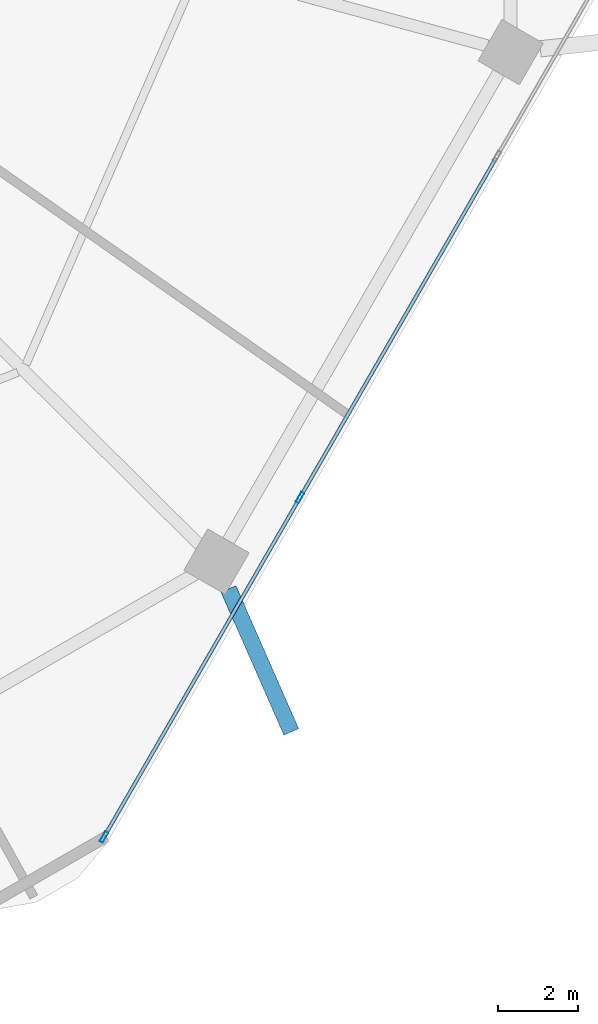
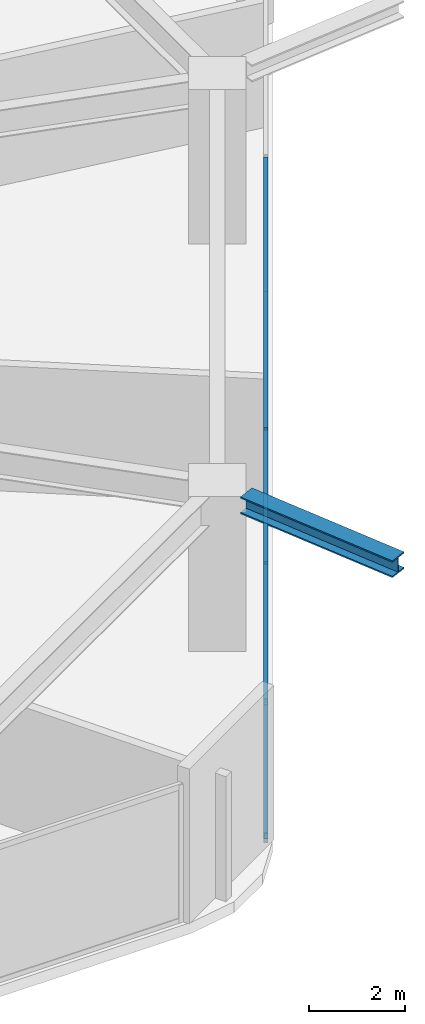
# One storey, part 9 of 25: 6 members, 1 beam, 1 element without a shape of its own.
"""IFC4 building model written with IfcOpenShell, lengths in metres."""

from ifc_helpers import new_model, si_unit, direction, frame, origin, origin_2d, place, context, subcontext, project, spatial, hollow_rectangle, i_section, extrude, material, material_profile, profile_set, type_object, element, aggregate, save


model = new_model("IFC4")

# Units and contexts
model_context = context("Model", 3, precision=1e-05, world=origin(), true_north=direction((0.0, 1.0)))
body_context = subcontext(model_context, "Body", "Model", "MODEL_VIEW")
ifc_project = project(units=[si_unit("LENGTHUNIT", "METRE"), si_unit("AREAUNIT", "SQUARE_METRE"), si_unit("VOLUMEUNIT", "CUBIC_METRE"), si_unit("PLANEANGLEUNIT", "RADIAN"), si_unit("MASSUNIT", "GRAM", prefix="KILO")], contexts=[model_context])

# Site, building, storey
site_placement = place(None, origin())
site = spatial("IfcSite", under=ifc_project, at=site_placement, CompositionType="ELEMENT")
building_placement = place(site_placement, origin())
building = spatial("IfcBuilding", under=site, at=building_placement, Name="Zuhravey Tower", CompositionType="ELEMENT")
storey_placement = place(building_placement, frame((0.0, 0.0, 37.199951171875)))
storey = spatial("IfcBuildingStorey", under=building, at=storey_placement, Name="L09", CompositionType="ELEMENT", Elevation=37.199951171875)

# Curtain wall, members
ifc_material_1 = material(Name="Thermally broken anodised aluminium", Category="aluminium")
curtain_wall_type = type_object("IfcCurtainWallType", Name="School Low-E Unitised Curtain Wall CW1", PredefinedType="NOTDEFINED", material=ifc_material_1)
curtain_wall_placement = place(storey_placement, origin())
curtain_wall = element("IfcCurtainWall", 1, at=curtain_wall_placement, inside=storey, type_object=curtain_wall_type, Name="L09 CW1 CW-L09-F6-1", PredefinedType="NOTDEFINED")
ifc_material_2 = material(Name="Anodised aluminium", Category="aluminium")
ifc_material_profile_1 = material_profile(ifc_material_2, hollow_rectangle(XDim=0.090087890625, YDim=0.284912109375, WallThickness=0.0048828125, at=origin_2d()), Name="ALU-RHS-90x285x5")
ifc_profile_set_1 = profile_set([ifc_material_profile_1], Name="Anodised aluminium")
member_type_1 = type_object("IfcMemberType", Name="Curtain-Wall Mullion 90x180", PredefinedType="MULLION", material=ifc_profile_set_1)
member_1_placement = place(storey_placement, frame((58.612060546875, 13.24853515625, 0.0), z_axis=(0.0, 0.0, 1.0), x_axis=(0.86602552265, -0.499999794119, 0.0)))
member_1 = element("IfcMember", 2, at=member_1_placement, type_object=member_type_1, Name="CW1 mullion 3", PredefinedType="MULLION", context=body_context, shape_type="SweptSolid", body=[
    extrude(hollow_rectangle(XDim=0.090087890625, YDim=0.284912109375, WallThickness=0.0048828125, at=origin_2d()), origin(), (0.0, 0.0, 1.0), 3.491943359375),
])
member_2_placement = place(storey_placement, frame((53.701416015625, 4.742919921875, 0.0), z_axis=(0.0, 0.0, 1.0), x_axis=(0.86602552265, -0.499999794119, 0.0)))
member_2 = element("IfcMember", 3, at=member_2_placement, type_object=member_type_1, Name="CW1 mullion 4", PredefinedType="MULLION", context=body_context, shape_type="SweptSolid", body=[
    extrude(hollow_rectangle(XDim=0.090087890625, YDim=0.284912109375, WallThickness=0.0048828125, at=origin_2d()), origin(), (0.0, 0.0, 1.0), 3.491943359375),
])
ifc_material_profile_2 = material_profile(ifc_material_2, hollow_rectangle(XDim=0.090087890625, YDim=0.14990234375, WallThickness=0.0048828125, at=origin_2d()), Name="ALU-RHS-90x150x5")
ifc_profile_set_2 = profile_set([ifc_material_profile_2], Name="Anodised aluminium")
member_type_2 = type_object("IfcMemberType", Name="Curtain-Wall Transom 90x150", PredefinedType="USERDEFINED", material=ifc_profile_set_2)
member_3_placement = place(storey_placement, frame((63.52294921875, 21.754150390625, 0.045166015625), z_axis=(-0.499990498062, -0.866030889661, 0.0), x_axis=(0.866030889661, -0.499990498062, 0.0)))
member_3 = element("IfcMember", 4, at=member_3_placement, type_object=member_type_2, Name="CW1 transom 2.1", ObjectType="TRANSOM", PredefinedType="USERDEFINED", context=body_context, shape_type="SweptSolid", body=[
    extrude(hollow_rectangle(XDim=0.090087890625, YDim=0.14990234375, WallThickness=0.0048828125, at=origin_2d()), origin(), (0.0, 0.0, 1.0), 9.776611328125),
])
member_4_placement = place(storey_placement, frame((63.52294921875, 21.754150390625, 3.447021484375), z_axis=(-0.499990498062, -0.866030889661, 0.0), x_axis=(0.866030889661, -0.499990498062, 0.0)))
member_4 = element("IfcMember", 5, at=member_4_placement, type_object=member_type_2, Name="CW1 transom 2.2", ObjectType="TRANSOM", PredefinedType="USERDEFINED", context=body_context, shape_type="SweptSolid", body=[
    extrude(hollow_rectangle(XDim=0.090087890625, YDim=0.14990234375, WallThickness=0.0048828125, at=origin_2d()), origin(), (0.0, 0.0, 1.0), 9.776611328125),
])
member_5_placement = place(storey_placement, frame((58.589599609375, 13.20947265625, 0.045166015625), z_axis=(-0.499989576763, -0.86603142156, 0.0), x_axis=(0.86603142156, -0.499989576763, 0.0)))
member_5 = element("IfcMember", 6, at=member_5_placement, type_object=member_type_2, Name="CW1 transom 3.1", ObjectType="TRANSOM", PredefinedType="USERDEFINED", context=body_context, shape_type="SweptSolid", body=[
    extrude(hollow_rectangle(XDim=0.090087890625, YDim=0.14990234375, WallThickness=0.0048828125, at=origin_2d()), origin(), (0.0, 0.0, 1.0), 9.731201171875),
])
member_6_placement = place(storey_placement, frame((58.589599609375, 13.20947265625, 3.447021484375), z_axis=(-0.499989576763, -0.86603142156, 0.0), x_axis=(0.86603142156, -0.499989576763, 0.0)))
member_6 = element("IfcMember", 7, at=member_6_placement, type_object=member_type_2, Name="CW1 transom 3.2", ObjectType="TRANSOM", PredefinedType="USERDEFINED", context=body_context, shape_type="SweptSolid", body=[
    extrude(hollow_rectangle(XDim=0.090087890625, YDim=0.14990234375, WallThickness=0.0048828125, at=origin_2d()), origin(), (0.0, 0.0, 1.0), 9.731201171875),
])
aggregate(curtain_wall, [member_1, member_2, member_3, member_4, member_5, member_6])

# Beam
ifc_material_3 = material(Name="Steel SM460", Category="steel")
ifc_material_profile_3 = material_profile(ifc_material_3, i_section(OverallWidth=0.406982421875, OverallDepth=0.427978515625, WebThickness=0.02001953125, FlangeThickness=0.034912109375, at=origin_2d()), Name="H-428x407x20x35")
ifc_profile_set_3 = profile_set([ifc_material_profile_3], Name="Steel SM460")
beam_type = type_object("IfcBeamType", Name="Exoskeleton Node Tie Beam H428x407", PredefinedType="BEAM", material=ifc_profile_set_3)
beam_placement = place(storey_placement, frame((56.820068359375, 10.9580078125, 3.7060546875), z_axis=(0.402366403128, -0.915478715009, 0.0), x_axis=(0.915478715009, 0.402366403128, 0.0)))
element("IfcBeam", 8, at=beam_placement, inside=storey, type_object=beam_type, Name="L09 Exoskeleton Node Tie NT1-11", PredefinedType="BEAM", context=body_context, shape_type="SweptSolid", body=[
    extrude(i_section(OverallWidth=0.406982421875, OverallDepth=0.427978515625, WebThickness=0.02001953125, FlangeThickness=0.034912109375, at=origin_2d()), origin(), (0.0, 0.0, 1.0), 3.9130859375),
])

save(model, "model.ifc")
